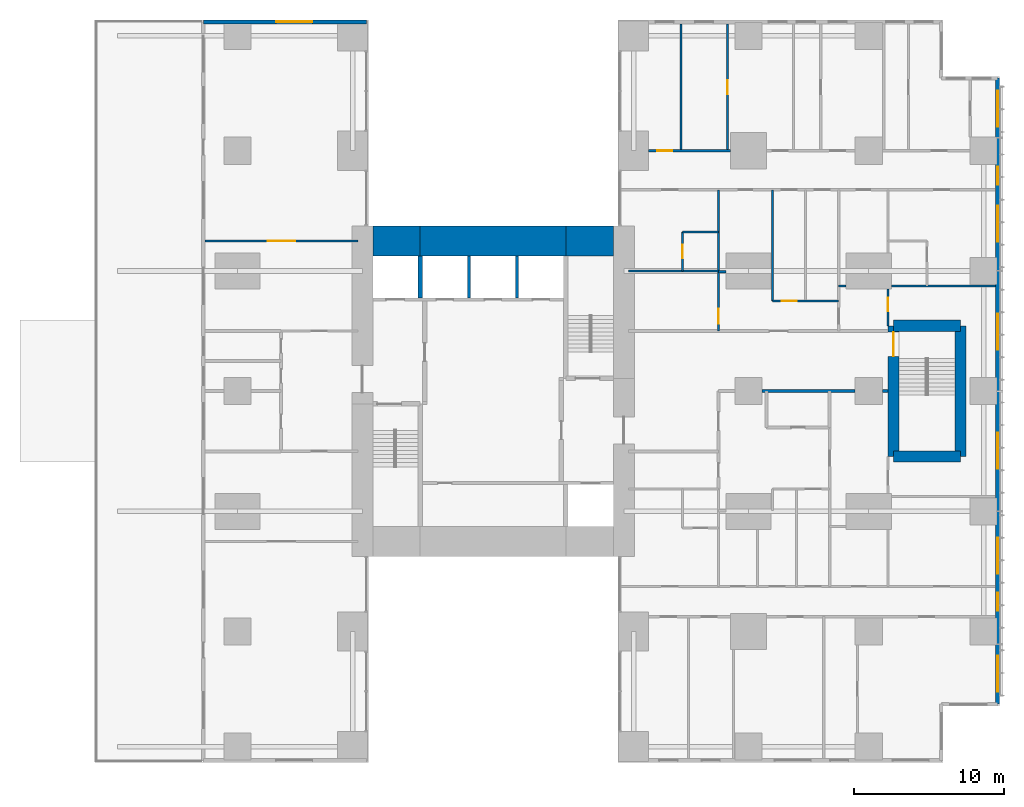
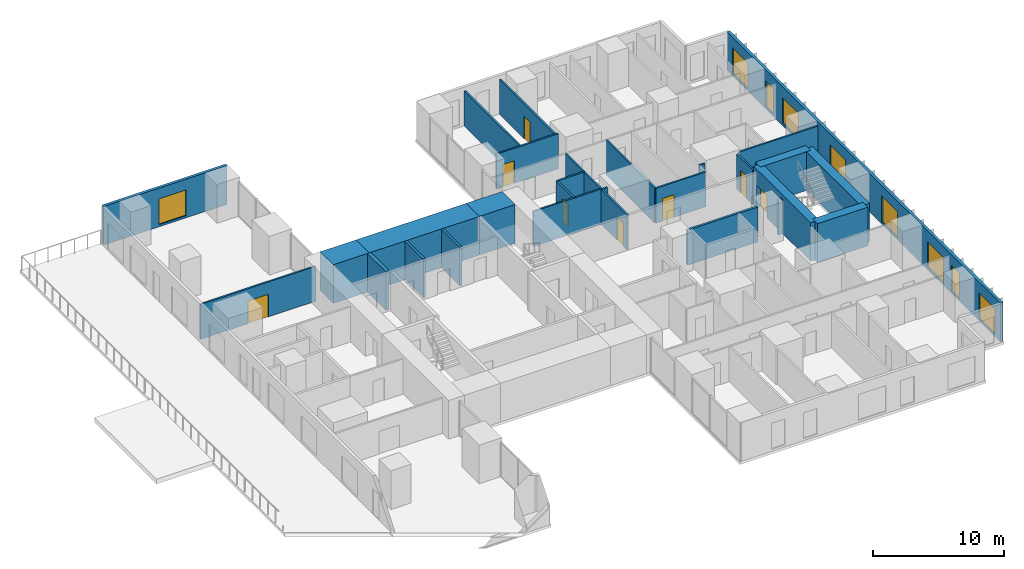
# One storey, part 12 of 15: 28 walls, 9 windows, 8 doors, 17 openings.
"""IFC4 building model written with IfcOpenShell, lengths in metres."""

import ifcopenshell
import ifcopenshell.guid

model = None  # the IFC model being written
_history = None  # IfcOwnerHistory: only IFC2X3 demands one
_inside = {}  # id of a spatial element -> (the spatial element, [elements in it])
_under = {}  # id of a project, library or spatial element -> (it, [spatial elements below it])
_declared = {}  # id of a project -> (the project, [libraries it declares])
_typed = {}  # id of a type object -> (the type object, [elements of that type])
_made_of = {}  # id of a material, layer set ... -> (it, [elements and type objects made of it])


def new_model(schema):
    """Start an empty IFC model of exactly this schema.

    Asked for "IFC4X3", IfcOpenShell would pick the latest addendum, in which some entities
    have other attributes; the version numbers below select the first issue.
    IFC2X3 requires an IfcOwnerHistory on every rooted entity: one is made here for all.
    """
    global model, _history
    if schema == "IFC4X3":
        model = ifcopenshell.file(schema_version=(4, 3, 0, 0))
    else:
        model = ifcopenshell.file(schema=schema)
    _inside.clear()
    _under.clear()
    _declared.clear()
    _typed.clear()
    _made_of.clear()
    _history = None
    if model.schema == "IFC2X3":
        org = make("IfcOrganization", Name="unknown")
        user = make(
            "IfcPersonAndOrganization",
            ThePerson=make("IfcPerson", FamilyName="unknown"),
            TheOrganization=org,
        )
        app = make(
            "IfcApplication",
            ApplicationDeveloper=org,
            Version="unknown",
            ApplicationFullName="unknown",
            ApplicationIdentifier="unknown",
        )
        _history = make(
            "IfcOwnerHistory",
            OwningUser=user,
            OwningApplication=app,
            ChangeAction="ADDED",
            CreationDate=0,
        )
    return model


def make(cls, **values):
    """One entity of the class cls with the attributes given. An attribute that is None is left unset."""
    return model.create_entity(
        cls, **{name: value for name, value in values.items() if value is not None}
    )


def rooted(cls, **values):
    """An entity with a GlobalId (a new one), such as an element, a storey or a relation."""
    return make(cls, GlobalId=ifcopenshell.guid.new(), OwnerHistory=_history, **values)


def si_unit(unit_type, name, prefix=None):
    """IfcSIUnit, for example si_unit("LENGTHUNIT", "METRE", prefix="MILLI")."""
    return make("IfcSIUnit", UnitType=unit_type, Prefix=prefix, Name=name)


def assignment(units):
    """IfcUnitAssignment: the units of a project."""
    return None if units is None else make("IfcUnitAssignment", Units=units)


def point(xyz):
    """IfcCartesianPoint."""
    return None if xyz is None else make("IfcCartesianPoint", Coordinates=xyz)


def direction(xyz):
    """IfcDirection."""
    return None if xyz is None else make("IfcDirection", DirectionRatios=xyz)


def frame(location, z_axis=None, x_axis=None):
    """IfcAxis2Placement3D, a coordinate frame: its origin and axes. An axis left out is left unset."""
    return make(
        "IfcAxis2Placement3D",
        Location=point(location),
        Axis=direction(z_axis),
        RefDirection=direction(x_axis),
    )


def frame_2d(location, x_axis=None):
    """IfcAxis2Placement2D, a coordinate frame in the plane: its origin and x axis."""
    return make(
        "IfcAxis2Placement2D", Location=point(location), RefDirection=direction(x_axis)
    )


def origin():
    """The frame at (0, 0, 0) with its axes left unset."""
    return frame((0.0, 0.0, 0.0))


def place(relative_to, where):
    """IfcLocalPlacement: puts the frame where relative to a parent placement (None: the world)."""
    return make(
        "IfcLocalPlacement", PlacementRelTo=relative_to, RelativePlacement=where
    )


def context(
    kind, dimensions, precision=None, world=None, true_north=None, identifier=None
):
    """IfcGeometricRepresentationContext, for example the 3D "Model" context."""
    return make(
        "IfcGeometricRepresentationContext",
        ContextIdentifier=identifier,
        ContextType=kind,
        CoordinateSpaceDimension=dimensions,
        Precision=precision,
        WorldCoordinateSystem=world,
        TrueNorth=true_north,
    )


def subcontext(parent, identifier, kind, view, scale=None):
    """IfcGeometricRepresentationSubContext, for example "Body" below "Model"."""
    return make(
        "IfcGeometricRepresentationSubContext",
        ContextIdentifier=identifier,
        ContextType=kind,
        ParentContext=parent,
        TargetScale=scale,
        TargetView=view,
    )


def project(units=None, contexts=None):
    """IfcProject with its units and contexts."""
    return rooted(
        "IfcProject",
        Name="project",
        RepresentationContexts=contexts,
        UnitsInContext=assignment(units),
    )


def spatial(cls, under=None, at=None, **own):
    """A site, building, storey or space (cls), placed at a placement, below another one or the project."""
    s = rooted(cls, ObjectPlacement=at, **own)
    if under is not None:
        _under.setdefault(under.id(), (under, []))[1].append(s)
    return s


def profile(cls, at=None, kind="AREA", **sizes):
    """A parametric profile (cls). Its sizes go by their IFC names, for example OverallWidth=200.0."""
    return make(cls, ProfileType=kind, Position=at, **sizes)


def rectangle(**sizes):
    """IfcRectangleProfileDef."""
    return profile("IfcRectangleProfileDef", **sizes)


def extrude(swept, where, along, depth):
    """IfcExtrudedAreaSolid: the profile swept, set in the frame where, extruded along a direction by depth."""
    return make(
        "IfcExtrudedAreaSolid",
        SweptArea=swept,
        Position=where,
        ExtrudedDirection=direction(along),
        Depth=depth,
    )


def shape(context_of_items, identifier, shape_type, items):
    """IfcShapeRepresentation: the items that make up one representation, for example the "Body"."""
    return make(
        "IfcShapeRepresentation",
        ContextOfItems=context_of_items,
        RepresentationIdentifier=identifier,
        RepresentationType=shape_type,
        Items=items,
    )


def material(Name=None, Category=None):
    """IfcMaterial."""
    return make("IfcMaterial", Name=Name, Category=Category)


def layer(
    of_material, thickness, ventilated=None, Name=None, Category=None, Priority=None
):
    """IfcMaterialLayer: one layer of a wall or slab, of a material (None: an air gap)."""
    return make(
        "IfcMaterialLayer",
        Material=of_material,
        LayerThickness=thickness,
        IsVentilated=ventilated,
        Name=Name,
        Category=Category,
        Priority=Priority,
    )


def layer_set(layers, Name=None):
    """IfcMaterialLayerSet."""
    return make("IfcMaterialLayerSet", MaterialLayers=layers, LayerSetName=Name)


def made_of(thing, what):
    """Note that an element or type object is made of a material, layer set ...; save() writes the relation."""
    if what is not None:
        _made_of.setdefault(what.id(), (what, []))[1].append(thing)
    return thing


def type_object(cls, material=None, **own):
    """A type object (cls), such as IfcWallType, which elements share."""
    return made_of(rooted(cls, **own), material)


def element(
    cls,
    number,
    at=None,
    inside=None,
    cuts=None,
    type_object=None,
    material=None,
    context=None,
    identifier="Body",
    shape_type=None,
    held_by="IfcProductDefinitionShape",
    body=None,
    shapes=None,
    **own,
):
    """One element of the class cls, such as IfcWall. Its Tag is "e" and its number.

    at: its placement. inside: the storey or other place that contains it. cuts: it is an
    opening in that element (IfcRelVoidsElement). A single representation is given by context,
    identifier, shape_type and body (its items); several are given by shapes. held_by: the class
    of the entity that holds the representations. save() writes the other relations.
    """
    e = rooted(cls, Tag="e%d" % number, ObjectPlacement=at, **own)
    if body is not None:
        shapes = [shape(context, identifier, shape_type, body)]
    if shapes is not None:
        e.Representation = make(held_by, Representations=shapes)
    if inside is not None:
        _inside.setdefault(inside.id(), (inside, []))[1].append(e)
    if cuts is not None:
        rooted(
            "IfcRelVoidsElement", RelatingBuildingElement=cuts, RelatedOpeningElement=e
        )
    if type_object is not None:
        _typed.setdefault(type_object.id(), (type_object, []))[1].append(e)
    return made_of(e, material)


def fill(opening, filler):
    """IfcRelFillsElement: the door or window that sits in an opening."""
    return rooted(
        "IfcRelFillsElement",
        RelatingOpeningElement=opening,
        RelatedBuildingElement=filler,
    )


def aggregate(whole, parts):
    """IfcRelAggregates: a whole, such as a stair, and the parts it consists of."""
    return rooted("IfcRelAggregates", RelatingObject=whole, RelatedObjects=parts)


def save(model, path):
    """Write the relations noted so far, then the file.

    IfcRelAggregates (storeys below a building ...), IfcRelContainedInSpatialStructure (elements
    in a storey), IfcRelDefinesByType, IfcRelAssociatesMaterial and IfcRelDeclares: one each for
    every whole, place, type object, material and project.
    """
    for whole, parts in _under.values():
        aggregate(whole, parts)
    for where, things in _inside.values():
        rooted(
            "IfcRelContainedInSpatialStructure",
            RelatedElements=things,
            RelatingStructure=where,
        )
    for kind, things in _typed.values():
        rooted("IfcRelDefinesByType", RelatedObjects=things, RelatingType=kind)
    for what, things in _made_of.values():
        rooted("IfcRelAssociatesMaterial", RelatedObjects=things, RelatingMaterial=what)
    for by, libraries in _declared.values():
        rooted("IfcRelDeclares", RelatingContext=by, RelatedDefinitions=libraries)
    model.write(path)


model = new_model("IFC4")

# Units and contexts
model_context = context("Model", 3, precision=1e-05, world=origin(), true_north=direction((0.0, 1.0)))
body_context = subcontext(model_context, "Body", "Model", "MODEL_VIEW")
ifc_project = project(units=[si_unit("LENGTHUNIT", "METRE"), si_unit("AREAUNIT", "SQUARE_METRE"), si_unit("VOLUMEUNIT", "CUBIC_METRE"), si_unit("PLANEANGLEUNIT", "RADIAN"), si_unit("MASSUNIT", "GRAM", prefix="KILO")], contexts=[model_context])

# Site, building, storey
site_placement = place(None, origin())
site = spatial("IfcSite", under=ifc_project, at=site_placement, CompositionType="ELEMENT")
building_placement = place(site_placement, origin())
building = spatial("IfcBuilding", under=site, at=building_placement, Name="Cleftline Residences", CompositionType="ELEMENT")
storey_placement = place(building_placement, frame((0.0, 0.0, 221.800048828125)))
storey = spatial("IfcBuildingStorey", under=building, at=storey_placement, Name="L58", CompositionType="ELEMENT", Elevation=221.800048828125)

# Walls
ifc_material_1 = material(Name="Concrete B70", Category="concrete")
ifc_layer_1 = layer(ifc_material_1, 2.0)
ifc_layer_set_1 = layer_set([ifc_layer_1], Name="CORE WALL 2000")
wall_type_1 = type_object("IfcWallType", Name="CORE WALL 2000", PredefinedType="SHEAR", material=ifc_layer_set_1)
wall_1_placement = place(storey_placement, frame((25.0, 34.0, 0.0), z_axis=(0.0, 0.0, 1.0), x_axis=(1.0, 0.0, 0.0)))
element("IfcWall", 1, at=wall_1_placement, inside=storey, type_object=wall_type_1, Name="Core wall N1", PredefinedType="SHEAR", context=body_context, shape_type="SweptSolid", body=[
    extrude(rectangle(XDim=3.14990234375, YDim=2.0, at=frame_2d((1.574951171875, 0.0))), origin(), (0.0, 0.0, 1.0), 3.599853515625),
])
wall_2_placement = place(storey_placement, frame((28.14990234375, 34.0, 0.0), z_axis=(0.0, 0.0, 1.0), x_axis=(1.0, 0.0, 0.0)))
element("IfcWall", 2, at=wall_2_placement, inside=storey, type_object=wall_type_1, Name="Core wall N2", PredefinedType="SHEAR", context=body_context, shape_type="SweptSolid", body=[
    extrude(rectangle(XDim=9.7001953125, YDim=2.0, at=frame_2d((4.85009765625, 0.0))), origin(), (0.0, 0.0, 1.0), 3.599853515625),
])
wall_3_placement = place(storey_placement, frame((37.85009765625, 34.0, 0.0), z_axis=(0.0, 0.0, 1.0), x_axis=(1.0, 0.0, 0.0)))
element("IfcWall", 3, at=wall_3_placement, inside=storey, type_object=wall_type_1, Name="Core wall N3", PredefinedType="SHEAR", context=body_context, shape_type="SweptSolid", body=[
    extrude(rectangle(XDim=3.14990234375, YDim=2.0, at=frame_2d((1.574951171875, 0.0))), origin(), (0.0, 0.0, 1.0), 3.599853515625),
])
ifc_material_2 = material(Name="Concrete B70", Category="concrete")
ifc_layer_2 = layer(ifc_material_2, 0.300048828125)
ifc_layer_set_2 = layer_set([ifc_layer_2], Name="CORE WALL 300")
wall_type_2 = type_object("IfcWallType", Name="CORE WALL 300", PredefinedType="SHEAR", material=ifc_layer_set_2)
wall_4_placement = place(storey_placement, frame((28.14990234375, 30.199951171875, 0.0), z_axis=(0.0, 0.0, 1.0), x_axis=(0.0, 1.0, 0.0)))
element("IfcWall", 4, at=wall_4_placement, inside=storey, type_object=wall_type_2, Name="Lift shaft wall", PredefinedType="SHEAR", context=body_context, shape_type="SweptSolid", body=[
    extrude(rectangle(XDim=2.800048828125, YDim=0.300048828125, at=frame_2d((1.39990234375, 0.0))), origin(), (0.0, 0.0, 1.0), 3.599853515625),
])

# Wall, openings, windows
ifc_material_3 = material(Name="Rendered reinforced concrete blockwork", Category="masonry")
ifc_layer_3 = layer(ifc_material_3, 0.25)
ifc_layer_set_3 = layer_set([ifc_layer_3], Name="EXTERNAL WALL 250")
wall_type_3 = type_object("IfcWallType", Name="EXTERNAL WALL 250", PredefinedType="SOLIDWALL", material=ifc_layer_set_3)
wall_5_placement = place(storey_placement, frame((66.574951171875, 3.175048828125, 0.0), z_axis=(0.0, 0.0, 1.0), x_axis=(0.0, 1.0, 0.0)))
wall_5 = element("IfcWall", 5, at=wall_5_placement, inside=storey, type_object=wall_type_3, Name="External wall", PredefinedType="SOLIDWALL", context=body_context, shape_type="SweptSolid", body=[
    extrude(rectangle(XDim=41.64990234375, YDim=0.25, at=frame_2d((20.824951171875, 0.0))), origin(), (0.0, 0.0, 1.0), 3.599853515625),
])
opening_1_placement = place(wall_5_placement, frame((0.824951171875, 0.0, 0.199951171875)))
opening_1 = element("IfcOpeningElement", 6, at=opening_1_placement, cuts=wall_5, Name="Opening W9", PredefinedType="OPENING", context=body_context, shape_type="SweptSolid", body=[
    extrude(rectangle(XDim=2.39990234375, YDim=2.39990234375, at=frame_2d((1.199951171875, 1.199951171875))), frame((0.0, 0.135009765625, 0.0), z_axis=(0.0, -1.0, 0.0), x_axis=(1.0, 0.0, 0.0)), (0.0, 0.0, 1.0), 0.27001953125),
])
opening_2_placement = place(wall_5_placement, frame((6.22509765625, 0.0, 0.199951171875)))
opening_2 = element("IfcOpeningElement", 7, at=opening_2_placement, cuts=wall_5, Name="Opening W13", PredefinedType="OPENING", context=body_context, shape_type="SweptSolid", body=[
    extrude(rectangle(XDim=1.199951171875, YDim=2.39990234375, at=frame_2d((0.60009765625, 1.199951171875))), frame((0.0, 0.135009765625, 0.0), z_axis=(0.0, -1.0, 0.0), x_axis=(1.0, 0.0, 0.0)), (0.0, 0.0, 1.0), 0.27001953125),
])
opening_3_placement = place(wall_5_placement, frame((8.675048828125, 0.0, 0.199951171875)))
opening_3 = element("IfcOpeningElement", 8, at=opening_3_placement, cuts=wall_5, Name="Opening W9", PredefinedType="OPENING", context=body_context, shape_type="SweptSolid", body=[
    extrude(rectangle(XDim=2.39990234375, YDim=2.39990234375, at=frame_2d((1.199951171875, 1.199951171875))), frame((0.0, 0.135009765625, 0.0), z_axis=(0.0, -1.0, 0.0), x_axis=(1.0, 0.0, 0.0)), (0.0, 0.0, 1.0), 0.27001953125),
])
opening_4_placement = place(wall_5_placement, frame((15.675048828125, 0.0, 0.199951171875)))
opening_4 = element("IfcOpeningElement", 9, at=opening_4_placement, cuts=wall_5, Name="Opening W9", PredefinedType="OPENING", context=body_context, shape_type="SweptSolid", body=[
    extrude(rectangle(XDim=2.39990234375, YDim=2.39990234375, at=frame_2d((1.199951171875, 1.199951171875))), frame((0.0, 0.135009765625, 0.0), z_axis=(0.0, -1.0, 0.0), x_axis=(1.0, 0.0, 0.0)), (0.0, 0.0, 1.0), 0.27001953125),
])
opening_5_placement = place(wall_5_placement, frame((23.574951171875, 0.0, 0.199951171875)))
opening_5 = element("IfcOpeningElement", 10, at=opening_5_placement, cuts=wall_5, Name="Opening W9", PredefinedType="OPENING", context=body_context, shape_type="SweptSolid", body=[
    extrude(rectangle(XDim=2.39990234375, YDim=2.39990234375, at=frame_2d((1.199951171875, 1.199951171875))), frame((0.0, 0.135009765625, 0.0), z_axis=(0.0, -1.0, 0.0), x_axis=(1.0, 0.0, 0.0)), (0.0, 0.0, 1.0), 0.27001953125),
])
opening_6_placement = place(wall_5_placement, frame((30.77490234375, 0.0, 0.199951171875)))
opening_6 = element("IfcOpeningElement", 11, at=opening_6_placement, cuts=wall_5, Name="Opening W9", PredefinedType="OPENING", context=body_context, shape_type="SweptSolid", body=[
    extrude(rectangle(XDim=2.39990234375, YDim=2.39990234375, at=frame_2d((1.199951171875, 1.199951171875))), frame((0.0, 0.135009765625, 0.0), z_axis=(0.0, -1.0, 0.0), x_axis=(1.0, 0.0, 0.0)), (0.0, 0.0, 1.0), 0.27001953125),
])
opening_7_placement = place(wall_5_placement, frame((34.550048828125, 0.0, 0.199951171875)))
opening_7 = element("IfcOpeningElement", 12, at=opening_7_placement, cuts=wall_5, Name="Opening W13", PredefinedType="OPENING", context=body_context, shape_type="SweptSolid", body=[
    extrude(rectangle(XDim=1.199951171875, YDim=2.39990234375, at=frame_2d((0.60009765625, 1.199951171875))), frame((0.0, 0.135009765625, 0.0), z_axis=(0.0, -1.0, 0.0), x_axis=(1.0, 0.0, 0.0)), (0.0, 0.0, 1.0), 0.27001953125),
])
opening_8_placement = place(wall_5_placement, frame((38.425048828125, 0.0, 0.199951171875)))
opening_8 = element("IfcOpeningElement", 13, at=opening_8_placement, cuts=wall_5, Name="Opening W9", PredefinedType="OPENING", context=body_context, shape_type="SweptSolid", body=[
    extrude(rectangle(XDim=2.39990234375, YDim=2.39990234375, at=frame_2d((1.199951171875, 1.199951171875))), frame((0.0, 0.135009765625, 0.0), z_axis=(0.0, -1.0, 0.0), x_axis=(1.0, 0.0, 0.0)), (0.0, 0.0, 1.0), 0.27001953125),
])
ifc_material_4 = material(Name="Aluminium frame, clear double glazing", Category="aluminium")
window_type_1 = type_object("IfcWindowType", Name="WINDOW 1200X2400", PartitioningType="DOUBLE_PANEL_VERTICAL", PredefinedType="WINDOW", material=ifc_material_4)
window_1_placement = place(opening_2_placement, origin())
window_1 = element("IfcWindow", 14, at=window_1_placement, inside=storey, type_object=window_type_1, Name="Window", OverallHeight=2.39990234375, OverallWidth=1.199951171875, PartitioningType="SINGLE_PANEL", PredefinedType="WINDOW", context=body_context, shape_type="SweptSolid", body=[
    extrude(rectangle(XDim=1.199951171875, YDim=2.39990234375, at=frame_2d((0.60009765625, 1.199951171875))), frame((0.0, 0.030029296875, 0.0), z_axis=(0.0, -1.0, 0.0), x_axis=(1.0, 0.0, 0.0)), (0.0, 0.0, 1.0), 0.06005859375),
])
fill(opening_2, window_1)
window_2_placement = place(opening_7_placement, origin())
window_2 = element("IfcWindow", 15, at=window_2_placement, inside=storey, type_object=window_type_1, Name="Window", OverallHeight=2.39990234375, OverallWidth=1.199951171875, PartitioningType="SINGLE_PANEL", PredefinedType="WINDOW", context=body_context, shape_type="SweptSolid", body=[
    extrude(rectangle(XDim=1.199951171875, YDim=2.39990234375, at=frame_2d((0.60009765625, 1.199951171875))), frame((0.0, 0.030029296875, 0.0), z_axis=(0.0, -1.0, 0.0), x_axis=(1.0, 0.0, 0.0)), (0.0, 0.0, 1.0), 0.06005859375),
])
fill(opening_7, window_2)
ifc_material_5 = material(Name="Aluminium frame, clear double glazing", Category="aluminium")
window_type_2 = type_object("IfcWindowType", Name="WINDOW 2400X2400", PartitioningType="DOUBLE_PANEL_VERTICAL", PredefinedType="WINDOW", material=ifc_material_5)
window_3_placement = place(opening_1_placement, origin())
window_3 = element("IfcWindow", 16, at=window_3_placement, inside=storey, type_object=window_type_2, Name="Window", OverallHeight=2.39990234375, OverallWidth=2.39990234375, PartitioningType="SINGLE_PANEL", PredefinedType="WINDOW", context=body_context, shape_type="SweptSolid", body=[
    extrude(rectangle(XDim=2.39990234375, YDim=2.39990234375, at=frame_2d((1.199951171875, 1.199951171875))), frame((0.0, 0.030029296875, 0.0), z_axis=(0.0, -1.0, 0.0), x_axis=(1.0, 0.0, 0.0)), (0.0, 0.0, 1.0), 0.06005859375),
])
fill(opening_1, window_3)
window_4_placement = place(opening_3_placement, origin())
window_4 = element("IfcWindow", 17, at=window_4_placement, inside=storey, type_object=window_type_2, Name="Window", OverallHeight=2.39990234375, OverallWidth=2.39990234375, PartitioningType="SINGLE_PANEL", PredefinedType="WINDOW", context=body_context, shape_type="SweptSolid", body=[
    extrude(rectangle(XDim=2.39990234375, YDim=2.39990234375, at=frame_2d((1.199951171875, 1.199951171875))), frame((0.0, 0.030029296875, 0.0), z_axis=(0.0, -1.0, 0.0), x_axis=(1.0, 0.0, 0.0)), (0.0, 0.0, 1.0), 0.06005859375),
])
fill(opening_3, window_4)
window_5_placement = place(opening_4_placement, origin())
window_5 = element("IfcWindow", 18, at=window_5_placement, inside=storey, type_object=window_type_2, Name="Window", OverallHeight=2.39990234375, OverallWidth=2.39990234375, PartitioningType="SINGLE_PANEL", PredefinedType="WINDOW", context=body_context, shape_type="SweptSolid", body=[
    extrude(rectangle(XDim=2.39990234375, YDim=2.39990234375, at=frame_2d((1.199951171875, 1.199951171875))), frame((0.0, 0.030029296875, 0.0), z_axis=(0.0, -1.0, 0.0), x_axis=(1.0, 0.0, 0.0)), (0.0, 0.0, 1.0), 0.06005859375),
])
fill(opening_4, window_5)
window_6_placement = place(opening_5_placement, origin())
window_6 = element("IfcWindow", 19, at=window_6_placement, inside=storey, type_object=window_type_2, Name="Window", OverallHeight=2.39990234375, OverallWidth=2.39990234375, PartitioningType="SINGLE_PANEL", PredefinedType="WINDOW", context=body_context, shape_type="SweptSolid", body=[
    extrude(rectangle(XDim=2.39990234375, YDim=2.39990234375, at=frame_2d((1.199951171875, 1.199951171875))), frame((0.0, 0.030029296875, 0.0), z_axis=(0.0, -1.0, 0.0), x_axis=(1.0, 0.0, 0.0)), (0.0, 0.0, 1.0), 0.06005859375),
])
fill(opening_5, window_6)
window_7_placement = place(opening_6_placement, origin())
window_7 = element("IfcWindow", 20, at=window_7_placement, inside=storey, type_object=window_type_2, Name="Window", OverallHeight=2.39990234375, OverallWidth=2.39990234375, PartitioningType="SINGLE_PANEL", PredefinedType="WINDOW", context=body_context, shape_type="SweptSolid", body=[
    extrude(rectangle(XDim=2.39990234375, YDim=2.39990234375, at=frame_2d((1.199951171875, 1.199951171875))), frame((0.0, 0.030029296875, 0.0), z_axis=(0.0, -1.0, 0.0), x_axis=(1.0, 0.0, 0.0)), (0.0, 0.0, 1.0), 0.06005859375),
])
fill(opening_6, window_7)
window_8_placement = place(opening_8_placement, origin())
window_8 = element("IfcWindow", 21, at=window_8_placement, inside=storey, type_object=window_type_2, Name="Window", OverallHeight=2.39990234375, OverallWidth=2.39990234375, PartitioningType="SINGLE_PANEL", PredefinedType="WINDOW", context=body_context, shape_type="SweptSolid", body=[
    extrude(rectangle(XDim=2.39990234375, YDim=2.39990234375, at=frame_2d((1.199951171875, 1.199951171875))), frame((0.0, 0.030029296875, 0.0), z_axis=(0.0, -1.0, 0.0), x_axis=(1.0, 0.0, 0.0)), (0.0, 0.0, 1.0), 0.06005859375),
])
fill(opening_8, window_8)

# Wall, opening, window
wall_6_placement = place(storey_placement, frame((24.574951171875, 48.574951171875, 0.0), z_axis=(0.0, 0.0, 1.0), x_axis=(-1.0, 0.0, 0.0)))
wall_6 = element("IfcWall", 22, at=wall_6_placement, inside=storey, type_object=wall_type_3, Name="External wall", PredefinedType="SOLIDWALL", context=body_context, shape_type="SweptSolid", body=[
    extrude(rectangle(XDim=10.849853515625, YDim=0.25, at=frame_2d((5.4248046875, 0.0))), origin(), (0.0, 0.0, 1.0), 3.599853515625),
])
opening_9_placement = place(wall_6_placement, frame((3.60009765625, 0.0, 0.199951171875)))
opening_9 = element("IfcOpeningElement", 23, at=opening_9_placement, cuts=wall_6, Name="Opening W9", PredefinedType="OPENING", context=body_context, shape_type="SweptSolid", body=[
    extrude(rectangle(XDim=2.39990234375, YDim=2.39990234375, at=frame_2d((1.199951171875, 1.199951171875))), frame((0.0, 0.135009765625, 0.0), z_axis=(0.0, -1.0, 0.0), x_axis=(1.0, 0.0, 0.0)), (0.0, 0.0, 1.0), 0.27001953125),
])
window_9_placement = place(opening_9_placement, origin())
window_9 = element("IfcWindow", 24, at=window_9_placement, inside=storey, type_object=window_type_2, Name="Window", OverallHeight=2.39990234375, OverallWidth=2.39990234375, PartitioningType="SINGLE_PANEL", PredefinedType="WINDOW", context=body_context, shape_type="SweptSolid", body=[
    extrude(rectangle(XDim=2.39990234375, YDim=2.39990234375, at=frame_2d((1.199951171875, 1.199951171875))), frame((0.0, 0.030029296875, 0.0), z_axis=(0.0, -1.0, 0.0), x_axis=(1.0, 0.0, 0.0)), (0.0, 0.0, 1.0), 0.06005859375),
])
fill(opening_9, window_9)

# Walls
ifc_material_6 = material(Name="Concrete blockwork, fire rated", Category="masonry")
ifc_layer_4 = layer(ifc_material_6, 0.199951171875)
ifc_layer_set_4 = layer_set([ifc_layer_4], Name="FIRE WALL 200")
wall_type_4 = type_object("IfcWallType", Name="FIRE WALL 200", PredefinedType="PARTITIONING", material=ifc_layer_set_4)
wall_7_placement = place(storey_placement, frame((50.89990234375, 24.0, 0.0), z_axis=(0.0, 0.0, 1.0), x_axis=(1.0, 0.0, 0.0)))
element("IfcWall", 25, at=wall_7_placement, inside=storey, type_object=wall_type_4, Name="Fire separating wall", PredefinedType="PARTITIONING", context=body_context, shape_type="SweptSolid", body=[
    extrude(rectangle(XDim=6.2001953125, YDim=0.199951171875, at=frame_2d((3.10009765625, 0.0))), origin(), (0.0, 0.0, 1.0), 3.25),
])
wall_8_placement = place(storey_placement, frame((58.89990234375, 24.0, 0.0), z_axis=(0.0, 0.0, 1.0), x_axis=(1.0, 0.0, 0.0)))
element("IfcWall", 26, at=wall_8_placement, inside=storey, type_object=wall_type_4, Name="Fire separating wall", PredefinedType="PARTITIONING", context=body_context, shape_type="SweptSolid", body=[
    extrude(rectangle(XDim=0.375, YDim=0.199951171875, at=frame_2d((0.1875, 0.0))), origin(), (0.0, 0.0, 1.0), 3.25),
])

# Wall, opening, door
ifc_material_7 = material(Name="Gypsum board on steel studs", Category="steel")
ifc_layer_5 = layer(ifc_material_7, 0.14990234375)
ifc_layer_set_5 = layer_set([ifc_layer_5], Name="PARTITION 150")
wall_type_5 = type_object("IfcWallType", Name="PARTITION 150", PredefinedType="PARTITIONING", material=ifc_layer_set_5)
wall_9_placement = place(storey_placement, frame((51.60009765625, 30.0, 0.0), z_axis=(0.0, 0.0, 1.0), x_axis=(1.0, 0.0, 0.0)))
wall_9 = element("IfcWall", 27, at=wall_9_placement, inside=storey, type_object=wall_type_5, Name="Partition", PredefinedType="PARTITIONING", context=body_context, shape_type="SweptSolid", body=[
    extrude(rectangle(XDim=4.39990234375, YDim=0.14990234375, at=frame_2d((2.199951171875, 0.0))), origin(), (0.0, 0.0, 1.0), 3.25),
])
opening_10_placement = place(wall_9_placement, frame((0.60009765625, 0.0, 0.0)))
opening_10 = element("IfcOpeningElement", 28, at=opening_10_placement, cuts=wall_9, Name="Opening D2", PredefinedType="OPENING", context=body_context, shape_type="SweptSolid", body=[
    extrude(rectangle(XDim=1.0, YDim=2.10009765625, at=frame_2d((0.5, 1.050048828125))), frame((0.0, 0.0849609375, 0.0), z_axis=(0.0, -1.0, 0.0), x_axis=(1.0, 0.0, 0.0)), (0.0, 0.0, 1.0), 0.169921875),
])
ifc_material_8 = material(Name="Timber veneer on solid core", Category="wood")
door_type_1 = type_object("IfcDoorType", Name="DOOR 1000X2100", OperationType="SINGLE_SWING_LEFT", PredefinedType="DOOR", material=ifc_material_8)
door_1_placement = place(opening_10_placement, origin())
door_1 = element("IfcDoor", 29, at=door_1_placement, inside=storey, type_object=door_type_1, Name="Door to residence passage", OperationType="SINGLE_SWING_RIGHT", OverallHeight=2.10009765625, OverallWidth=1.0, PredefinedType="DOOR", context=body_context, shape_type="SweptSolid", body=[
    extrude(rectangle(XDim=1.0, YDim=2.10009765625, at=frame_2d((0.5, 1.050048828125))), frame((0.0, 0.02490234375, 0.0), z_axis=(0.0, -1.0, 0.0), x_axis=(1.0, 0.0, 0.0)), (0.0, 0.0, 1.0), 0.050048828125),
])
fill(opening_10, door_1)

# Walls
wall_10_placement = place(storey_placement, frame((56.0, 31.0, 0.0), z_axis=(0.0, 0.0, 1.0), x_axis=(1.0, 0.0, 0.0)))
element("IfcWall", 30, at=wall_10_placement, inside=storey, type_object=wall_type_5, Name="Partition", PredefinedType="PARTITIONING", context=body_context, shape_type="SweptSolid", body=[
    extrude(rectangle(XDim=0.5, YDim=0.14990234375, at=frame_2d((0.25, 0.0))), origin(), (0.0, 0.0, 1.0), 3.25),
])
wall_11_placement = place(storey_placement, frame((59.5, 31.0, 0.0), z_axis=(0.0, 0.0, 1.0), x_axis=(1.0, 0.0, 0.0)))
element("IfcWall", 31, at=wall_11_placement, inside=storey, type_object=wall_type_5, Name="Partition", PredefinedType="PARTITIONING", context=body_context, shape_type="SweptSolid", body=[
    extrude(rectangle(XDim=6.949951171875, YDim=0.14990234375, at=frame_2d((3.47509765625, 0.0))), origin(), (0.0, 0.0, 1.0), 3.25),
])
wall_12_placement = place(storey_placement, frame((48.0, 31.949951171875, 0.0), z_axis=(0.0, 0.0, 1.0), x_axis=(1.0, 0.0, 0.0)))
element("IfcWall", 32, at=wall_12_placement, inside=storey, type_object=wall_type_5, Name="Partition", PredefinedType="PARTITIONING", context=body_context, shape_type="SweptSolid", body=[
    extrude(rectangle(XDim=0.5, YDim=0.14990234375, at=frame_2d((0.25, 0.0))), origin(), (0.0, 0.0, 1.0), 3.25),
])
wall_13_placement = place(storey_placement, frame((42.0, 32.0, 0.0), z_axis=(0.0, 0.0, 1.0), x_axis=(1.0, 0.0, 0.0)))
element("IfcWall", 33, at=wall_13_placement, inside=storey, type_object=wall_type_5, Name="Partition", PredefinedType="PARTITIONING", context=body_context, shape_type="SweptSolid", body=[
    extrude(rectangle(XDim=6.0, YDim=0.14990234375, at=frame_2d((3.0, 0.0))), origin(), (0.0, 0.0, 1.0), 3.25),
])

# Wall, opening, door
wall_14_placement = place(storey_placement, frame((13.85009765625, 34.0, 0.0), z_axis=(0.0, 0.0, 1.0), x_axis=(1.0, 0.0, 0.0)))
wall_14 = element("IfcWall", 34, at=wall_14_placement, inside=storey, type_object=wall_type_5, Name="Partition", PredefinedType="PARTITIONING", context=body_context, shape_type="SweptSolid", body=[
    extrude(rectangle(XDim=10.14990234375, YDim=0.14990234375, at=frame_2d((5.074951171875, 0.0))), origin(), (0.0, 0.0, 1.0), 3.25),
])
opening_11_placement = place(wall_14_placement, frame((4.175048828125, 0.0, 0.0)))
opening_11 = element("IfcOpeningElement", 35, at=opening_11_placement, cuts=wall_14, Name="Opening D3", PredefinedType="OPENING", context=body_context, shape_type="SweptSolid", body=[
    extrude(rectangle(XDim=1.800048828125, YDim=2.10009765625, at=frame_2d((0.89990234375, 1.050048828125))), frame((0.0, 0.0849609375, 0.0), z_axis=(0.0, -1.0, 0.0), x_axis=(1.0, 0.0, 0.0)), (0.0, 0.0, 1.0), 0.169921875),
])
ifc_material_9 = material(Name="Timber veneer on solid core", Category="wood")
door_type_2 = type_object("IfcDoorType", Name="DOUBLE DOOR 1800X2100", OperationType="DOUBLE_DOOR_DOUBLE_SWING", PredefinedType="DOOR", material=ifc_material_9)
door_2_placement = place(opening_11_placement, origin())
door_2 = element("IfcDoor", 36, at=door_2_placement, inside=storey, type_object=door_type_2, Name="Door to sky terrace lounge", OperationType="DOUBLE_DOOR_DOUBLE_SWING", OverallHeight=2.10009765625, OverallWidth=1.800048828125, PredefinedType="DOOR", context=body_context, shape_type="SweptSolid", body=[
    extrude(rectangle(XDim=1.800048828125, YDim=2.10009765625, at=frame_2d((0.89990234375, 1.050048828125))), frame((0.0, 0.02490234375, 0.0), z_axis=(0.0, -1.0, 0.0), x_axis=(1.0, 0.0, 0.0)), (0.0, 0.0, 1.0), 0.050048828125),
])
fill(opening_11, door_2)

# Wall
wall_15_placement = place(storey_placement, frame((45.60009765625, 34.60009765625, 0.0), z_axis=(0.0, 0.0, 1.0), x_axis=(1.0, 0.0, 0.0)))
element("IfcWall", 37, at=wall_15_placement, inside=storey, type_object=wall_type_5, Name="Partition", PredefinedType="PARTITIONING", context=body_context, shape_type="SweptSolid", body=[
    extrude(rectangle(XDim=2.39990234375, YDim=0.14990234375, at=frame_2d((1.199951171875, 0.0))), origin(), (0.0, 0.0, 1.0), 3.25),
])

# Wall, opening, door
wall_16_placement = place(storey_placement, frame((43.35009765625, 40.0, 0.0), z_axis=(0.0, 0.0, 1.0), x_axis=(1.0, 0.0, 0.0)))
wall_16 = element("IfcWall", 38, at=wall_16_placement, inside=storey, type_object=wall_type_5, Name="Partition", PredefinedType="PARTITIONING", context=body_context, shape_type="SweptSolid", body=[
    extrude(rectangle(XDim=5.449951171875, YDim=0.14990234375, at=frame_2d((2.72509765625, 0.0))), origin(), (0.0, 0.0, 1.0), 3.25),
])
opening_12_placement = place(wall_16_placement, frame((0.574951171875, 0.0, 0.0)))
opening_12 = element("IfcOpeningElement", 39, at=opening_12_placement, cuts=wall_16, Name="Opening D2", PredefinedType="OPENING", context=body_context, shape_type="SweptSolid", body=[
    extrude(rectangle(XDim=1.0, YDim=2.10009765625, at=frame_2d((0.5, 1.050048828125))), frame((0.0, 0.0849609375, 0.0), z_axis=(0.0, -1.0, 0.0), x_axis=(1.0, 0.0, 0.0)), (0.0, 0.0, 1.0), 0.169921875),
])
door_3_placement = place(opening_12_placement, origin())
door_3 = element("IfcDoor", 40, at=door_3_placement, inside=storey, type_object=door_type_1, Name="Door to family room", OperationType="SINGLE_SWING_RIGHT", OverallHeight=2.10009765625, OverallWidth=1.0, PredefinedType="DOOR", context=body_context, shape_type="SweptSolid", body=[
    extrude(rectangle(XDim=1.0, YDim=2.10009765625, at=frame_2d((0.5, 1.050048828125))), frame((0.0, 0.02490234375, 0.0), z_axis=(0.0, -1.0, 0.0), x_axis=(1.0, 0.0, 0.0)), (0.0, 0.0, 1.0), 0.050048828125),
])
fill(opening_12, door_3)

# Wall
wall_17_placement = place(storey_placement, frame((45.5, 40.0, 0.0), z_axis=(0.0, 0.0, 1.0), x_axis=(0.0, 1.0, 0.0)))
element("IfcWall", 41, at=wall_17_placement, inside=storey, type_object=wall_type_5, Name="Partition", PredefinedType="PARTITIONING", context=body_context, shape_type="SweptSolid", body=[
    extrude(rectangle(XDim=8.449951171875, YDim=0.14990234375, at=frame_2d((4.22509765625, 0.0))), origin(), (0.0, 0.0, 1.0), 3.25),
])

# Wall, opening, door
wall_18_placement = place(storey_placement, frame((45.60009765625, 32.0, 0.0), z_axis=(0.0, 0.0, 1.0), x_axis=(0.0, 1.0, 0.0)))
wall_18 = element("IfcWall", 42, at=wall_18_placement, inside=storey, type_object=wall_type_5, Name="Partition", PredefinedType="PARTITIONING", context=body_context, shape_type="SweptSolid", body=[
    extrude(rectangle(XDim=2.60009765625, YDim=0.14990234375, at=frame_2d((1.300048828125, 0.0))), origin(), (0.0, 0.0, 1.0), 3.25),
])
opening_13_placement = place(wall_18_placement, frame((0.85009765625, 0.0, 0.0)))
opening_13 = element("IfcOpeningElement", 43, at=opening_13_placement, cuts=wall_18, Name="Opening D1", PredefinedType="OPENING", context=body_context, shape_type="SweptSolid", body=[
    extrude(rectangle(XDim=0.89990234375, YDim=2.10009765625, at=frame_2d((0.449951171875, 1.050048828125))), frame((0.0, 0.0849609375, 0.0), z_axis=(0.0, -1.0, 0.0), x_axis=(1.0, 0.0, 0.0)), (0.0, 0.0, 1.0), 0.169921875),
])
ifc_material_10 = material(Name="Timber veneer on solid core", Category="wood")
door_type_3 = type_object("IfcDoorType", Name="DOOR 900X2100", OperationType="SINGLE_SWING_LEFT", PredefinedType="DOOR", material=ifc_material_10)
door_4_placement = place(opening_13_placement, origin())
door_4 = element("IfcDoor", 44, at=door_4_placement, inside=storey, type_object=door_type_3, Name="Door to en-suite bathroom 5", OperationType="SINGLE_SWING_LEFT", OverallHeight=2.10009765625, OverallWidth=0.89990234375, PredefinedType="DOOR", context=body_context, shape_type="SweptSolid", body=[
    extrude(rectangle(XDim=0.89990234375, YDim=2.10009765625, at=frame_2d((0.449951171875, 1.050048828125))), frame((0.0, 0.02490234375, 0.0), z_axis=(0.0, -1.0, 0.0), x_axis=(1.0, 0.0, 0.0)), (0.0, 0.0, 1.0), 0.050048828125),
])
fill(opening_13, door_4)

wall_19_placement = place(storey_placement, frame((48.0, 28.0, 0.0), z_axis=(0.0, 0.0, 1.0), x_axis=(0.0, 1.0, 0.0)))
wall_19 = element("IfcWall", 45, at=wall_19_placement, inside=storey, type_object=wall_type_5, Name="Partition", PredefinedType="PARTITIONING", context=body_context, shape_type="SweptSolid", body=[
    extrude(rectangle(XDim=9.39990234375, YDim=0.14990234375, at=frame_2d((4.699951171875, 0.0))), origin(), (0.0, 0.0, 1.0), 3.25),
])
opening_14_placement = place(wall_19_placement, frame((0.5, 0.0, 0.0)))
opening_14 = element("IfcOpeningElement", 46, at=opening_14_placement, cuts=wall_19, Name="Opening D2", PredefinedType="OPENING", context=body_context, shape_type="SweptSolid", body=[
    extrude(rectangle(XDim=1.0, YDim=2.10009765625, at=frame_2d((0.5, 1.050048828125))), frame((0.0, 0.0849609375, 0.0), z_axis=(0.0, -1.0, 0.0), x_axis=(1.0, 0.0, 0.0)), (0.0, 0.0, 1.0), 0.169921875),
])
door_5_placement = place(opening_14_placement, origin())
door_5 = element("IfcDoor", 47, at=door_5_placement, inside=storey, type_object=door_type_1, Name="Door to morning kitchen", OperationType="SINGLE_SWING_RIGHT", OverallHeight=2.10009765625, OverallWidth=1.0, PredefinedType="DOOR", context=body_context, shape_type="SweptSolid", body=[
    extrude(rectangle(XDim=1.0, YDim=2.10009765625, at=frame_2d((0.5, 1.050048828125))), frame((0.0, 0.02490234375, 0.0), z_axis=(0.0, -1.0, 0.0), x_axis=(1.0, 0.0, 0.0)), (0.0, 0.0, 1.0), 0.050048828125),
])
fill(opening_14, door_5)

wall_20_placement = place(storey_placement, frame((48.60009765625, 40.0, 0.0), z_axis=(0.0, 0.0, 1.0), x_axis=(0.0, 1.0, 0.0)))
wall_20 = element("IfcWall", 48, at=wall_20_placement, inside=storey, type_object=wall_type_5, Name="Partition", PredefinedType="PARTITIONING", context=body_context, shape_type="SweptSolid", body=[
    extrude(rectangle(XDim=8.449951171875, YDim=0.14990234375, at=frame_2d((4.22509765625, 0.0))), origin(), (0.0, 0.0, 1.0), 3.25),
])
opening_15_placement = place(wall_20_placement, frame((3.77490234375, 0.0, 0.0)))
opening_15 = element("IfcOpeningElement", 49, at=opening_15_placement, cuts=wall_20, Name="Opening D1", PredefinedType="OPENING", context=body_context, shape_type="SweptSolid", body=[
    extrude(rectangle(XDim=0.89990234375, YDim=2.10009765625, at=frame_2d((0.449951171875, 1.050048828125))), frame((0.0, 0.0849609375, 0.0), z_axis=(0.0, -1.0, 0.0), x_axis=(1.0, 0.0, 0.0)), (0.0, 0.0, 1.0), 0.169921875),
])
door_6_placement = place(opening_15_placement, origin())
door_6 = element("IfcDoor", 50, at=door_6_placement, inside=storey, type_object=door_type_3, Name="Door to en-suite bathroom 4", OperationType="SINGLE_SWING_LEFT", OverallHeight=2.10009765625, OverallWidth=0.89990234375, PredefinedType="DOOR", context=body_context, shape_type="SweptSolid", body=[
    extrude(rectangle(XDim=0.89990234375, YDim=2.10009765625, at=frame_2d((0.449951171875, 1.050048828125))), frame((0.0, 0.02490234375, 0.0), z_axis=(0.0, -1.0, 0.0), x_axis=(1.0, 0.0, 0.0)), (0.0, 0.0, 1.0), 0.050048828125),
])
fill(opening_15, door_6)

# Wall
wall_21_placement = place(storey_placement, frame((51.60009765625, 30.0, 0.0), z_axis=(0.0, 0.0, 1.0), x_axis=(0.0, 1.0, 0.0)))
element("IfcWall", 51, at=wall_21_placement, inside=storey, type_object=wall_type_5, Name="Partition", PredefinedType="PARTITIONING", context=body_context, shape_type="SweptSolid", body=[
    extrude(rectangle(XDim=7.39990234375, YDim=0.14990234375, at=frame_2d((3.699951171875, 0.0))), origin(), (0.0, 0.0, 1.0), 3.25),
])

# Wall, opening, door
wall_22_placement = place(storey_placement, frame((59.27490234375, 28.35009765625, 0.0), z_axis=(0.0, 0.0, 1.0), x_axis=(0.0, 1.0, 0.0)))
wall_22 = element("IfcWall", 52, at=wall_22_placement, inside=storey, type_object=wall_type_5, Name="Partition", PredefinedType="PARTITIONING", context=body_context, shape_type="SweptSolid", body=[
    extrude(rectangle(XDim=2.449951171875, YDim=0.14990234375, at=frame_2d((1.22509765625, 0.0))), origin(), (0.0, 0.0, 1.0), 3.25),
])
opening_16_placement = place(wall_22_placement, frame((0.96240234375, 0.0, 0.0)))
opening_16 = element("IfcOpeningElement", 53, at=opening_16_placement, cuts=wall_22, Name="Opening D1", PredefinedType="OPENING", context=body_context, shape_type="SweptSolid", body=[
    extrude(rectangle(XDim=0.89990234375, YDim=2.10009765625, at=frame_2d((0.449951171875, 1.050048828125))), frame((0.0, 0.0849609375, 0.0), z_axis=(0.0, -1.0, 0.0), x_axis=(1.0, 0.0, 0.0)), (0.0, 0.0, 1.0), 0.169921875),
])
door_7_placement = place(opening_16_placement, origin())
door_7 = element("IfcDoor", 54, at=door_7_placement, inside=storey, type_object=door_type_3, Name="Door to master dressing room", OperationType="SINGLE_SWING_LEFT", OverallHeight=2.10009765625, OverallWidth=0.89990234375, PredefinedType="DOOR", context=body_context, shape_type="SweptSolid", body=[
    extrude(rectangle(XDim=0.89990234375, YDim=2.10009765625, at=frame_2d((0.449951171875, 1.050048828125))), frame((0.0, 0.02490234375, 0.0), z_axis=(0.0, -1.0, 0.0), x_axis=(1.0, 0.0, 0.0)), (0.0, 0.0, 1.0), 0.050048828125),
])
fill(opening_16, door_7)

# Walls
ifc_material_11 = material(Name="Concrete blockwork, fire rated", Category="masonry")
ifc_layer_6 = layer(ifc_material_11, 0.199951171875)
ifc_layer_set_6 = layer_set([ifc_layer_6], Name="SHAFT WALL 200")
wall_type_6 = type_object("IfcWallType", Name="SHAFT WALL 200", PredefinedType="PARTITIONING", material=ifc_layer_set_6)
for number, where, z_axis, x_axis, name in (
    (55, (31.39990234375, 30.199951171875, 0.0), (0.0, 0.0, 1.0), (0.0, 1.0, 0.0), "Lift shaft wall"),
    (56, (34.60009765625, 30.199951171875, 0.0), (0.0, 0.0, 1.0), (0.0, 1.0, 0.0), "Lift shaft wall"),
):
    element("IfcWall", number, at=place(storey_placement, frame(where, z_axis=z_axis, x_axis=x_axis)), inside=storey, type_object=wall_type_6, Name=name, PredefinedType="PARTITIONING", context=body_context, shape_type="SweptSolid", body=[
        extrude(rectangle(XDim=2.800048828125, YDim=0.199951171875, at=frame_2d((1.39990234375, 0.0))), origin(), (0.0, 0.0, 1.0), 3.599853515625),
    ])
ifc_material_12 = material(Name="Concrete B70", Category="concrete")
ifc_layer_7 = layer(ifc_material_12, 0.75)
ifc_layer_set_7 = layer_set([ifc_layer_7], Name="SHEAR WALL 750")
wall_type_7 = type_object("IfcWallType", Name="SHEAR WALL 750", PredefinedType="SHEAR", material=ifc_layer_set_7)
wall_23_placement = place(storey_placement, frame((59.64990234375, 19.64990234375, 0.0), z_axis=(0.0, 0.0, 1.0), x_axis=(1.0, 0.0, 0.0)))
element("IfcWall", 57, at=wall_23_placement, inside=storey, type_object=wall_type_7, Name="Wing shear wall", PredefinedType="SHEAR", context=body_context, shape_type="SweptSolid", body=[
    extrude(rectangle(XDim=4.4501953125, YDim=0.75, at=frame_2d((2.22509765625, 0.0))), origin(), (0.0, 0.0, 1.0), 3.599853515625),
])
wall_24_placement = place(storey_placement, frame((64.10009765625, 19.64990234375, 0.0), z_axis=(0.0, 0.0, 1.0), x_axis=(0.0, 1.0, 0.0)))
element("IfcWall", 58, at=wall_24_placement, inside=storey, type_object=wall_type_7, Name="Wing shear wall", PredefinedType="SHEAR", context=body_context, shape_type="SweptSolid", body=[
    extrude(rectangle(XDim=8.7001953125, YDim=0.75, at=frame_2d((4.35009765625, 0.0))), origin(), (0.0, 0.0, 1.0), 3.599853515625),
])
wall_25_placement = place(storey_placement, frame((64.10009765625, 28.35009765625, 0.0), z_axis=(0.0, 0.0, 1.0), x_axis=(-1.0, 0.0, 0.0)))
element("IfcWall", 59, at=wall_25_placement, inside=storey, type_object=wall_type_7, Name="Wing shear wall", PredefinedType="SHEAR", context=body_context, shape_type="SweptSolid", body=[
    extrude(rectangle(XDim=4.4501953125, YDim=0.75, at=frame_2d((2.22509765625, 0.0))), origin(), (0.0, 0.0, 1.0), 3.599853515625),
])

# Wall, opening, door
wall_26_placement = place(storey_placement, frame((59.64990234375, 28.35009765625, 0.0), z_axis=(0.0, 0.0, 1.0), x_axis=(0.0, -1.0, 0.0)))
wall_26 = element("IfcWall", 60, at=wall_26_placement, inside=storey, type_object=wall_type_7, Name="Wing shear wall", PredefinedType="SHEAR", context=body_context, shape_type="SweptSolid", body=[
    extrude(rectangle(XDim=8.7001953125, YDim=0.75, at=frame_2d((4.35009765625, 0.0))), origin(), (0.0, 0.0, 1.0), 3.599853515625),
])
opening_17_placement = place(wall_26_placement, frame((0.425048828125, 0.0, 0.0)))
opening_17 = element("IfcOpeningElement", 61, at=opening_17_placement, cuts=wall_26, Name="Opening D9", PredefinedType="OPENING", context=body_context, shape_type="SweptSolid", body=[
    extrude(rectangle(XDim=1.60009765625, YDim=2.10009765625, at=frame_2d((0.800048828125, 1.050048828125))), frame((0.0, 0.385009765625, 0.0), z_axis=(0.0, -1.0, 0.0), x_axis=(1.0, 0.0, 0.0)), (0.0, 0.0, 1.0), 0.77001953125),
])
ifc_material_13 = material(Name="Steel", Category="steel")
door_type_4 = type_object("IfcDoorType", Name="STAIR DOOR 1600X2100", OperationType="DOUBLE_DOOR_SINGLE_SWING", PredefinedType="DOOR", material=ifc_material_13)
door_8_placement = place(opening_17_placement, origin())
door_8 = element("IfcDoor", 62, at=door_8_placement, inside=storey, type_object=door_type_4, Name="Stair E door", OperationType="DOUBLE_DOOR_SINGLE_SWING", OverallHeight=2.10009765625, OverallWidth=1.60009765625, PredefinedType="DOOR", context=body_context, shape_type="SweptSolid", body=[
    extrude(rectangle(XDim=1.60009765625, YDim=2.10009765625, at=frame_2d((0.800048828125, 1.050048828125))), frame((0.0, 0.02490234375, 0.0), z_axis=(0.0, -1.0, 0.0), x_axis=(1.0, 0.0, 0.0)), (0.0, 0.0, 1.0), 0.050048828125),
])
fill(opening_17, door_8)

save(model, "model.ifc")
